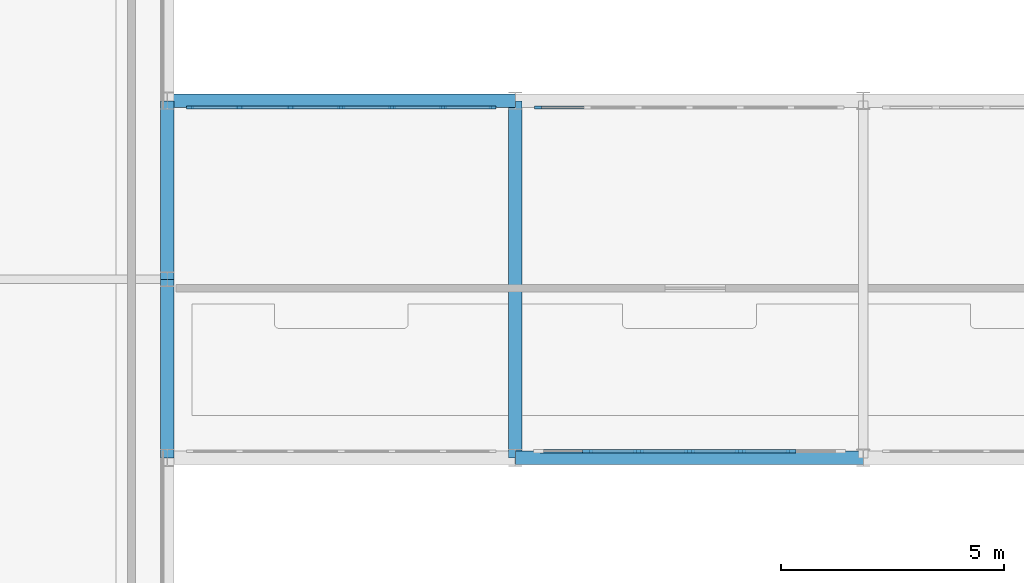
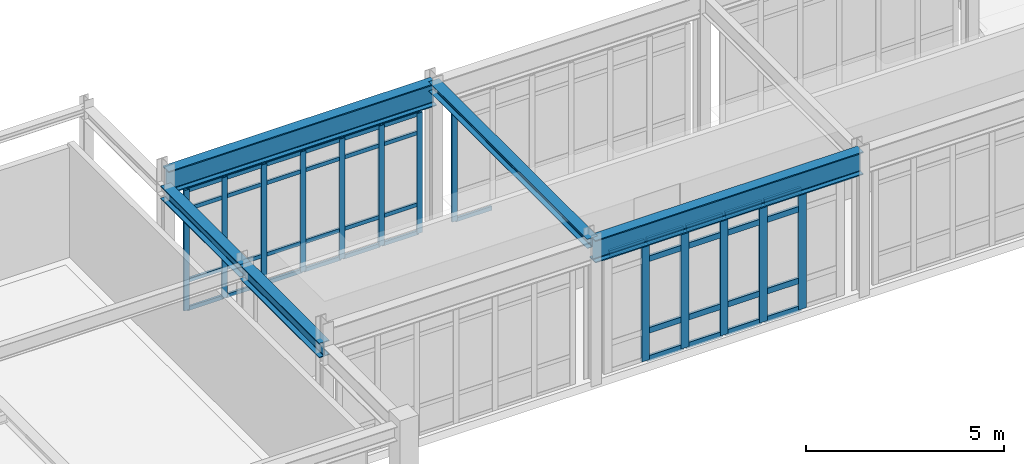
# One storey, part 28 of 90: 55 members, 5 beams, 3 elements without a shape of their own.
"""IFC4 building model written with IfcOpenShell, lengths in metres."""

from ifc_helpers import new_model, si_unit, derived_unit, direction, frame, origin, origin_2d, place, context, subcontext, project, spatial, rectangle, i_section, extrude, material, layer, layer_set, material_profile, profile_set, type_object, element, aggregate, save


model = new_model("IFC4")

# Units and contexts
model_context = context("Model", 3, precision=1e-05, world=origin(), true_north=direction((0.0, 1.0)))
body_context = subcontext(model_context, "Body", "Model", "MODEL_VIEW")
ifc_project = project(units=[si_unit("LENGTHUNIT", "METRE"), si_unit("AREAUNIT", "SQUARE_METRE"), si_unit("VOLUMEUNIT", "CUBIC_METRE"), si_unit("PLANEANGLEUNIT", "RADIAN"), si_unit("MASSUNIT", "GRAM", prefix="KILO"), derived_unit("THERMALTRANSMITTANCEUNIT", [(si_unit("POWERUNIT", "WATT"), 1), (si_unit("AREAUNIT", "SQUARE_METRE"), -1), (si_unit("THERMODYNAMICTEMPERATUREUNIT", "KELVIN"), -1)])], contexts=[model_context])

# Site, building, storey
site_placement = place(None, origin())
site = spatial("IfcSite", under=ifc_project, at=site_placement, CompositionType="ELEMENT")
building_placement = place(site_placement, origin())
building = spatial("IfcBuilding", under=site, at=building_placement, Name="Yasenodar Specialist Clinic", CompositionType="ELEMENT")
storey_placement = place(building_placement, frame((0.0, 0.0, 9.0)))
storey = spatial("IfcBuildingStorey", under=building, at=storey_placement, Name="L02", CompositionType="ELEMENT", Elevation=9.0)

# Beams
ifc_material_1 = material(Name="Steel S355", Category="steel")
ifc_material_profile_1 = material_profile(ifc_material_1, i_section(OverallWidth=0.300048828125, OverallDepth=0.2900390625, WebThickness=0.008544921875, FlangeThickness=0.013916015625, FilletRadius=0.027099609375, at=origin_2d()), Name="HEA 300")
ifc_profile_set_1 = profile_set([ifc_material_profile_1], Name="Steel S355")
beam_type_1 = type_object("IfcBeamType", Name="BM-HEA300", PredefinedType="BEAM", material=ifc_profile_set_1)
beam_1_placement = place(storey_placement, frame((41.39990234375, 54.800048828125, 4.280029296875), z_axis=(0.0, 1.0, 0.0), x_axis=(-1.0, 0.0, 0.0)))
element("IfcBeam", 1, at=beam_1_placement, inside=storey, type_object=beam_type_1, Name="L02 Primary N-S Girder", PredefinedType="BEAM", context=body_context, shape_type="SweptSolid", body=[
    extrude(i_section(OverallWidth=0.300048828125, OverallDepth=0.2900390625, WebThickness=0.008544921875, FlangeThickness=0.013916015625, FilletRadius=0.027099609375, at=origin_2d()), origin(), (0.0, 0.0, 1.0), 8.0),
])
ifc_material_profile_2 = material_profile(ifc_material_1, i_section(OverallWidth=0.300048828125, OverallDepth=0.39990234375, WebThickness=0.013427734375, FlangeThickness=0.02392578125, FilletRadius=0.027099609375, at=origin_2d()), Name="HEB 400")
ifc_profile_set_2 = profile_set([ifc_material_profile_2], Name="Steel S355")
beam_type_2 = type_object("IfcBeamType", Name="BM-HEB400", PredefinedType="BEAM", material=ifc_profile_set_2)
beam_2_placement = place(storey_placement, frame((33.60009765625, 58.800048828125, 3.75), z_axis=(0.0, 1.0, 0.0), x_axis=(-1.0, 0.0, 0.0)))
element("IfcBeam", 2, at=beam_2_placement, inside=storey, type_object=beam_type_2, Name="L02 Primary N-S Girder", PredefinedType="BEAM", context=body_context, shape_type="SweptSolid", body=[
    extrude(i_section(OverallWidth=0.300048828125, OverallDepth=0.39990234375, WebThickness=0.013427734375, FlangeThickness=0.02392578125, FilletRadius=0.027099609375, at=origin_2d()), origin(), (0.0, 0.0, 1.0), 4.0),
])
ifc_material_profile_3 = material_profile(ifc_material_1, i_section(OverallWidth=0.300048828125, OverallDepth=0.449951171875, WebThickness=0.013916015625, FlangeThickness=0.02587890625, FilletRadius=0.027099609375, at=origin_2d()), Name="HEB 450")
ifc_profile_set_3 = profile_set([ifc_material_profile_3], Name="Steel S355")
beam_type_3 = type_object("IfcBeamType", Name="BM-HEB450", PredefinedType="BEAM", material=ifc_profile_set_3)
beam_3_placement = place(storey_placement, frame((33.60009765625, 54.800048828125, 3.72509765625), z_axis=(0.0, 1.0, 0.0), x_axis=(-1.0, 0.0, 0.0)))
element("IfcBeam", 3, at=beam_3_placement, inside=storey, type_object=beam_type_3, Name="L02 Primary N-S Girder", PredefinedType="BEAM", context=body_context, shape_type="SweptSolid", body=[
    extrude(i_section(OverallWidth=0.300048828125, OverallDepth=0.449951171875, WebThickness=0.013916015625, FlangeThickness=0.02587890625, FilletRadius=0.027099609375, at=origin_2d()), origin(), (0.0, 0.0, 1.0), 4.0),
])
ifc_material_profile_4 = material_profile(ifc_material_1, i_section(OverallWidth=0.300048828125, OverallDepth=0.699951171875, WebThickness=0.01708984375, FlangeThickness=0.031982421875, FilletRadius=0.027099609375, at=origin_2d()), Name="HEB 700")
ifc_profile_set_4 = profile_set([ifc_material_profile_4], Name="Steel S355")
beam_type_4 = type_object("IfcBeamType", Name="BM-HEB700", PredefinedType="BEAM", material=ifc_profile_set_4)
beam_4_placement = place(storey_placement, frame((41.39990234375, 54.800048828125, 4.074951171875), z_axis=(1.0, 0.0, 0.0), x_axis=(0.0, 1.0, 0.0)))
element("IfcBeam", 4, at=beam_4_placement, inside=storey, type_object=beam_type_4, Name="L02 Light Bridge Girder", PredefinedType="BEAM", context=body_context, shape_type="SweptSolid", body=[
    extrude(i_section(OverallWidth=0.300048828125, OverallDepth=0.699951171875, WebThickness=0.01708984375, FlangeThickness=0.031982421875, FilletRadius=0.027099609375, at=origin_2d()), origin(), (0.0, 0.0, 1.0), 7.800048828125),
])
beam_5_placement = place(storey_placement, frame((33.60009765625, 62.800048828125, 4.074951171875), z_axis=(1.0, 0.0, 0.0), x_axis=(0.0, 1.0, 0.0)))
element("IfcBeam", 5, at=beam_5_placement, inside=storey, type_object=beam_type_4, Name="L02 Light Bridge Girder", PredefinedType="BEAM", context=body_context, shape_type="SweptSolid", body=[
    extrude(i_section(OverallWidth=0.300048828125, OverallDepth=0.699951171875, WebThickness=0.01708984375, FlangeThickness=0.031982421875, FilletRadius=0.027099609375, at=origin_2d()), origin(), (0.0, 0.0, 1.0), 7.7998046875),
])

# Curtain wall, members
ifc_material_2 = material(Name="Bronze Anodized Aluminium and Triple Low-E Glass", Category="aluminium")
ifc_layer = layer(ifc_material_2, 0.19091796875)
ifc_layer_set = layer_set([ifc_layer], Name="Bronze Anodized Aluminium and Triple Low-E Glass")
curtain_wall_type = type_object("IfcCurtainWallType", Name="CW-SYS-03", PredefinedType="USERDEFINED", material=ifc_layer_set)
curtain_wall_1_placement = place(storey_placement, origin())
curtain_wall_1 = element("IfcCurtainWall", 6, at=curtain_wall_1_placement, inside=storey, type_object=curtain_wall_type, Name="L02 Unitised Curtain Wall 107", ObjectType="UNITISED CURTAIN WALL", PredefinedType="USERDEFINED")
ifc_material_3 = material(Name="Bronze Anodized Aluminium", Category="aluminium")
ifc_material_profile_5 = material_profile(ifc_material_3, rectangle(XDim=0.06005859375, YDim=0.159912109375, at=origin_2d()), Name="CW-MULL 60x160")
ifc_profile_set_5 = profile_set([ifc_material_profile_5], Name="Bronze Anodized Aluminium")
member_type_1 = type_object("IfcMemberType", Name="CW-MULL-160", PredefinedType="MULLION", material=ifc_profile_set_5)
member_1_placement = place(storey_placement, frame((34.110107421875, 62.64990234375, 0.0), z_axis=(0.0, 0.0, 1.0), x_axis=(0.0, 1.0, 0.0)))
member_1 = element("IfcMember", 7, at=member_1_placement, type_object=member_type_1, Name="CW-03 mullion 1", PredefinedType="MULLION", context=body_context, shape_type="SweptSolid", body=[
    extrude(rectangle(XDim=0.06005859375, YDim=0.159912109375, at=origin_2d()), origin(), (0.0, 0.0, 1.0), 3.702880859375),
])
member_2_placement = place(storey_placement, frame((35.219970703125, 62.64990234375, 0.0), z_axis=(0.0, 0.0, 1.0), x_axis=(0.0, 1.0, 0.0)))
member_2 = element("IfcMember", 8, at=member_2_placement, type_object=member_type_1, Name="CW-03 mullion 2", PredefinedType="MULLION", context=body_context, shape_type="SweptSolid", body=[
    extrude(rectangle(XDim=0.06005859375, YDim=0.159912109375, at=origin_2d()), origin(), (0.0, 0.0, 1.0), 3.702880859375),
])
member_3_placement = place(storey_placement, frame((36.360107421875, 62.64990234375, 0.0), z_axis=(0.0, 0.0, 1.0), x_axis=(0.0, 1.0, 0.0)))
member_3 = element("IfcMember", 9, at=member_3_placement, type_object=member_type_1, Name="CW-03 mullion 3", PredefinedType="MULLION", context=body_context, shape_type="SweptSolid", body=[
    extrude(rectangle(XDim=0.06005859375, YDim=0.159912109375, at=origin_2d()), origin(), (0.0, 0.0, 1.0), 3.702880859375),
])
member_4_placement = place(storey_placement, frame((37.5, 62.64990234375, 0.0), z_axis=(0.0, 0.0, 1.0), x_axis=(0.0, 1.0, 0.0)))
member_4 = element("IfcMember", 10, at=member_4_placement, type_object=member_type_1, Name="CW-03 mullion 4", PredefinedType="MULLION", context=body_context, shape_type="SweptSolid", body=[
    extrude(rectangle(XDim=0.06005859375, YDim=0.159912109375, at=origin_2d()), origin(), (0.0, 0.0, 1.0), 3.702880859375),
])
member_5_placement = place(storey_placement, frame((38.639892578125, 62.64990234375, 0.0), z_axis=(0.0, 0.0, 1.0), x_axis=(0.0, 1.0, 0.0)))
member_5 = element("IfcMember", 11, at=member_5_placement, type_object=member_type_1, Name="CW-03 mullion 5", PredefinedType="MULLION", context=body_context, shape_type="SweptSolid", body=[
    extrude(rectangle(XDim=0.06005859375, YDim=0.159912109375, at=origin_2d()), origin(), (0.0, 0.0, 1.0), 3.702880859375),
])
member_6_placement = place(storey_placement, frame((39.780029296875, 62.64990234375, 0.0), z_axis=(0.0, 0.0, 1.0), x_axis=(0.0, 1.0, 0.0)))
member_6 = element("IfcMember", 12, at=member_6_placement, type_object=member_type_1, Name="CW-03 mullion 6", PredefinedType="MULLION", context=body_context, shape_type="SweptSolid", body=[
    extrude(rectangle(XDim=0.06005859375, YDim=0.159912109375, at=origin_2d()), origin(), (0.0, 0.0, 1.0), 3.702880859375),
])
member_7_placement = place(storey_placement, frame((40.889892578125, 62.64990234375, 0.0), z_axis=(0.0, 0.0, 1.0), x_axis=(0.0, 1.0, 0.0)))
member_7 = element("IfcMember", 13, at=member_7_placement, type_object=member_type_1, Name="CW-03 mullion 7", PredefinedType="MULLION", context=body_context, shape_type="SweptSolid", body=[
    extrude(rectangle(XDim=0.06005859375, YDim=0.159912109375, at=origin_2d()), origin(), (0.0, 0.0, 1.0), 3.702880859375),
])

# Curtain wall, member
curtain_wall_2_placement = place(storey_placement, origin())
curtain_wall_2 = element("IfcCurtainWall", 14, at=curtain_wall_2_placement, inside=storey, type_object=curtain_wall_type, Name="L02 Unitised Curtain Wall 109", ObjectType="UNITISED CURTAIN WALL", PredefinedType="USERDEFINED")
member_8_placement = place(storey_placement, frame((41.909912109375, 62.64990234375, 0.0), z_axis=(0.0, 0.0, 1.0), x_axis=(0.0, 1.0, 0.0)))
member_8 = element("IfcMember", 15, at=member_8_placement, type_object=member_type_1, Name="CW-03 mullion 1", PredefinedType="MULLION", context=body_context, shape_type="SweptSolid", body=[
    extrude(rectangle(XDim=0.06005859375, YDim=0.159912109375, at=origin_2d()), origin(), (0.0, 0.0, 1.0), 3.702880859375),
])

# Curtain wall, members
curtain_wall_3_placement = place(storey_placement, origin())
curtain_wall_3 = element("IfcCurtainWall", 16, at=curtain_wall_3_placement, inside=storey, type_object=curtain_wall_type, Name="L02 Unitised Curtain Wall 110", ObjectType="UNITISED CURTAIN WALL", PredefinedType="USERDEFINED")
ifc_material_profile_6 = material_profile(ifc_material_3, rectangle(XDim=0.074951171875, YDim=0.22509765625, at=origin_2d()), Name="CW-MULL 75x225")
ifc_profile_set_6 = profile_set([ifc_material_profile_6], Name="Bronze Anodized Aluminium")
member_type_2 = type_object("IfcMemberType", Name="CW-MULL-225", PredefinedType="MULLION", material=ifc_profile_set_6)
member_9_placement = place(storey_placement, frame((47.580078125, 54.949951171875, 0.0), z_axis=(0.0, 0.0, 1.0), x_axis=(0.0, -1.0, 0.0)))
member_9 = element("IfcMember", 17, at=member_9_placement, type_object=member_type_2, Name="CW-03 mullion 2", PredefinedType="MULLION", context=body_context, shape_type="SweptSolid", body=[
    extrude(rectangle(XDim=0.074951171875, YDim=0.22509765625, at=origin_2d()), origin(), (0.0, 0.0, 1.0), 3.702880859375),
])
member_10_placement = place(storey_placement, frame((46.43994140625, 54.949951171875, 0.0), z_axis=(0.0, 0.0, 1.0), x_axis=(0.0, -1.0, 0.0)))
member_10 = element("IfcMember", 18, at=member_10_placement, type_object=member_type_2, Name="CW-03 mullion 3", PredefinedType="MULLION", context=body_context, shape_type="SweptSolid", body=[
    extrude(rectangle(XDim=0.074951171875, YDim=0.22509765625, at=origin_2d()), origin(), (0.0, 0.0, 1.0), 3.702880859375),
])
member_11_placement = place(storey_placement, frame((45.300048828125, 54.949951171875, 0.0), z_axis=(0.0, 0.0, 1.0), x_axis=(0.0, -1.0, 0.0)))
member_11 = element("IfcMember", 19, at=member_11_placement, type_object=member_type_2, Name="CW-03 mullion 4", PredefinedType="MULLION", context=body_context, shape_type="SweptSolid", body=[
    extrude(rectangle(XDim=0.074951171875, YDim=0.22509765625, at=origin_2d()), origin(), (0.0, 0.0, 1.0), 3.702880859375),
])
member_12_placement = place(storey_placement, frame((44.159912109375, 54.949951171875, 0.0), z_axis=(0.0, 0.0, 1.0), x_axis=(0.0, -1.0, 0.0)))
member_12 = element("IfcMember", 20, at=member_12_placement, type_object=member_type_2, Name="CW-03 mullion 5", PredefinedType="MULLION", context=body_context, shape_type="SweptSolid", body=[
    extrude(rectangle(XDim=0.074951171875, YDim=0.22509765625, at=origin_2d()), origin(), (0.0, 0.0, 1.0), 3.702880859375),
])
member_13_placement = place(storey_placement, frame((43.02001953125, 54.949951171875, 0.0), z_axis=(0.0, 0.0, 1.0), x_axis=(0.0, -1.0, 0.0)))
member_13 = element("IfcMember", 21, at=member_13_placement, type_object=member_type_2, Name="CW-03 mullion 6", PredefinedType="MULLION", context=body_context, shape_type="SweptSolid", body=[
    extrude(rectangle(XDim=0.074951171875, YDim=0.22509765625, at=origin_2d()), origin(), (0.0, 0.0, 1.0), 3.702880859375),
])

# Member
ifc_material_profile_7 = material_profile(ifc_material_3, rectangle(XDim=0.06005859375, YDim=0.1201171875, at=origin_2d()), Name="CW-TRAN 60x120")
ifc_profile_set_7 = profile_set([ifc_material_profile_7], Name="Bronze Anodized Aluminium")
member_type_3 = type_object("IfcMemberType", Name="CW-TRAN-120", PredefinedType="USERDEFINED", material=ifc_profile_set_7)
member_14_placement = place(storey_placement, frame((34.139892578125, 62.64990234375, 0.030029296875), z_axis=(1.0, 0.0, 0.0), x_axis=(0.0, 1.0, 0.0)))
member_14 = element("IfcMember", 22, at=member_14_placement, type_object=member_type_3, Name="CW-03 transom 1.1", ObjectType="TRANSOM", PredefinedType="USERDEFINED", context=body_context, shape_type="SweptSolid", body=[
    extrude(rectangle(XDim=0.06005859375, YDim=0.1201171875, at=origin_2d()), origin(), (0.0, 0.0, 1.0), 1.050048828125),
])

member_15_placement = place(storey_placement, frame((34.139892578125, 62.64990234375, 0.89990234375), z_axis=(1.0, 0.0, 0.0), x_axis=(0.0, 1.0, 0.0)))
member_15 = element("IfcMember", 23, at=member_15_placement, type_object=member_type_3, Name="CW-03 transom 1.2", ObjectType="TRANSOM", PredefinedType="USERDEFINED", context=body_context, shape_type="SweptSolid", body=[
    extrude(rectangle(XDim=0.06005859375, YDim=0.1201171875, at=origin_2d()), origin(), (0.0, 0.0, 1.0), 1.050048828125),
])

member_16_placement = place(storey_placement, frame((34.139892578125, 62.64990234375, 3.10302734375), z_axis=(1.0, 0.0, 0.0), x_axis=(0.0, 1.0, 0.0)))
member_16 = element("IfcMember", 24, at=member_16_placement, type_object=member_type_3, Name="CW-03 transom 1.3", ObjectType="TRANSOM", PredefinedType="USERDEFINED", context=body_context, shape_type="SweptSolid", body=[
    extrude(rectangle(XDim=0.06005859375, YDim=0.1201171875, at=origin_2d()), origin(), (0.0, 0.0, 1.0), 1.050048828125),
])

member_17_placement = place(storey_placement, frame((34.139892578125, 62.64990234375, 3.673095703125), z_axis=(1.0, 0.0, 0.0), x_axis=(0.0, 1.0, 0.0)))
member_17 = element("IfcMember", 25, at=member_17_placement, type_object=member_type_3, Name="CW-03 transom 1.4", ObjectType="TRANSOM", PredefinedType="USERDEFINED", context=body_context, shape_type="SweptSolid", body=[
    extrude(rectangle(XDim=0.06005859375, YDim=0.1201171875, at=origin_2d()), origin(), (0.0, 0.0, 1.0), 1.050048828125),
])

member_18_placement = place(storey_placement, frame((35.25, 62.64990234375, 0.030029296875), z_axis=(1.0, 0.0, 0.0), x_axis=(0.0, 1.0, 0.0)))
member_18 = element("IfcMember", 26, at=member_18_placement, type_object=member_type_3, Name="CW-03 transom 2.1", ObjectType="TRANSOM", PredefinedType="USERDEFINED", context=body_context, shape_type="SweptSolid", body=[
    extrude(rectangle(XDim=0.06005859375, YDim=0.1201171875, at=origin_2d()), origin(), (0.0, 0.0, 1.0), 1.080078125),
])

member_19_placement = place(storey_placement, frame((35.25, 62.64990234375, 0.89990234375), z_axis=(1.0, 0.0, 0.0), x_axis=(0.0, 1.0, 0.0)))
member_19 = element("IfcMember", 27, at=member_19_placement, type_object=member_type_3, Name="CW-03 transom 2.2", ObjectType="TRANSOM", PredefinedType="USERDEFINED", context=body_context, shape_type="SweptSolid", body=[
    extrude(rectangle(XDim=0.06005859375, YDim=0.1201171875, at=origin_2d()), origin(), (0.0, 0.0, 1.0), 1.080078125),
])

member_20_placement = place(storey_placement, frame((35.25, 62.64990234375, 3.10302734375), z_axis=(1.0, 0.0, 0.0), x_axis=(0.0, 1.0, 0.0)))
member_20 = element("IfcMember", 28, at=member_20_placement, type_object=member_type_3, Name="CW-03 transom 2.3", ObjectType="TRANSOM", PredefinedType="USERDEFINED", context=body_context, shape_type="SweptSolid", body=[
    extrude(rectangle(XDim=0.06005859375, YDim=0.1201171875, at=origin_2d()), origin(), (0.0, 0.0, 1.0), 1.080078125),
])

member_21_placement = place(storey_placement, frame((35.25, 62.64990234375, 3.673095703125), z_axis=(1.0, 0.0, 0.0), x_axis=(0.0, 1.0, 0.0)))
member_21 = element("IfcMember", 29, at=member_21_placement, type_object=member_type_3, Name="CW-03 transom 2.4", ObjectType="TRANSOM", PredefinedType="USERDEFINED", context=body_context, shape_type="SweptSolid", body=[
    extrude(rectangle(XDim=0.06005859375, YDim=0.1201171875, at=origin_2d()), origin(), (0.0, 0.0, 1.0), 1.080078125),
])

member_22_placement = place(storey_placement, frame((36.389892578125, 62.64990234375, 0.030029296875), z_axis=(1.0, 0.0, 0.0), x_axis=(0.0, 1.0, 0.0)))
member_22 = element("IfcMember", 30, at=member_22_placement, type_object=member_type_3, Name="CW-03 transom 3.1", ObjectType="TRANSOM", PredefinedType="USERDEFINED", context=body_context, shape_type="SweptSolid", body=[
    extrude(rectangle(XDim=0.06005859375, YDim=0.1201171875, at=origin_2d()), origin(), (0.0, 0.0, 1.0), 1.080078125),
])

member_23_placement = place(storey_placement, frame((36.389892578125, 62.64990234375, 0.89990234375), z_axis=(1.0, 0.0, 0.0), x_axis=(0.0, 1.0, 0.0)))
member_23 = element("IfcMember", 31, at=member_23_placement, type_object=member_type_3, Name="CW-03 transom 3.2", ObjectType="TRANSOM", PredefinedType="USERDEFINED", context=body_context, shape_type="SweptSolid", body=[
    extrude(rectangle(XDim=0.06005859375, YDim=0.1201171875, at=origin_2d()), origin(), (0.0, 0.0, 1.0), 1.080078125),
])

member_24_placement = place(storey_placement, frame((36.389892578125, 62.64990234375, 3.10302734375), z_axis=(1.0, 0.0, 0.0), x_axis=(0.0, 1.0, 0.0)))
member_24 = element("IfcMember", 32, at=member_24_placement, type_object=member_type_3, Name="CW-03 transom 3.3", ObjectType="TRANSOM", PredefinedType="USERDEFINED", context=body_context, shape_type="SweptSolid", body=[
    extrude(rectangle(XDim=0.06005859375, YDim=0.1201171875, at=origin_2d()), origin(), (0.0, 0.0, 1.0), 1.080078125),
])

member_25_placement = place(storey_placement, frame((36.389892578125, 62.64990234375, 3.673095703125), z_axis=(1.0, 0.0, 0.0), x_axis=(0.0, 1.0, 0.0)))
member_25 = element("IfcMember", 33, at=member_25_placement, type_object=member_type_3, Name="CW-03 transom 3.4", ObjectType="TRANSOM", PredefinedType="USERDEFINED", context=body_context, shape_type="SweptSolid", body=[
    extrude(rectangle(XDim=0.06005859375, YDim=0.1201171875, at=origin_2d()), origin(), (0.0, 0.0, 1.0), 1.080078125),
])

member_26_placement = place(storey_placement, frame((37.530029296875, 62.64990234375, 0.030029296875), z_axis=(1.0, 0.0, 0.0), x_axis=(0.0, 1.0, 0.0)))
member_26 = element("IfcMember", 34, at=member_26_placement, type_object=member_type_3, Name="CW-03 transom 4.1", ObjectType="TRANSOM", PredefinedType="USERDEFINED", context=body_context, shape_type="SweptSolid", body=[
    extrude(rectangle(XDim=0.06005859375, YDim=0.1201171875, at=origin_2d()), origin(), (0.0, 0.0, 1.0), 1.080078125),
])

member_27_placement = place(storey_placement, frame((37.530029296875, 62.64990234375, 0.89990234375), z_axis=(1.0, 0.0, 0.0), x_axis=(0.0, 1.0, 0.0)))
member_27 = element("IfcMember", 35, at=member_27_placement, type_object=member_type_3, Name="CW-03 transom 4.2", ObjectType="TRANSOM", PredefinedType="USERDEFINED", context=body_context, shape_type="SweptSolid", body=[
    extrude(rectangle(XDim=0.06005859375, YDim=0.1201171875, at=origin_2d()), origin(), (0.0, 0.0, 1.0), 1.080078125),
])

member_28_placement = place(storey_placement, frame((37.530029296875, 62.64990234375, 3.10302734375), z_axis=(1.0, 0.0, 0.0), x_axis=(0.0, 1.0, 0.0)))
member_28 = element("IfcMember", 36, at=member_28_placement, type_object=member_type_3, Name="CW-03 transom 4.3", ObjectType="TRANSOM", PredefinedType="USERDEFINED", context=body_context, shape_type="SweptSolid", body=[
    extrude(rectangle(XDim=0.06005859375, YDim=0.1201171875, at=origin_2d()), origin(), (0.0, 0.0, 1.0), 1.080078125),
])

member_29_placement = place(storey_placement, frame((37.530029296875, 62.64990234375, 3.673095703125), z_axis=(1.0, 0.0, 0.0), x_axis=(0.0, 1.0, 0.0)))
member_29 = element("IfcMember", 37, at=member_29_placement, type_object=member_type_3, Name="CW-03 transom 4.4", ObjectType="TRANSOM", PredefinedType="USERDEFINED", context=body_context, shape_type="SweptSolid", body=[
    extrude(rectangle(XDim=0.06005859375, YDim=0.1201171875, at=origin_2d()), origin(), (0.0, 0.0, 1.0), 1.080078125),
])

member_30_placement = place(storey_placement, frame((38.669921875, 62.64990234375, 0.030029296875), z_axis=(1.0, 0.0, 0.0), x_axis=(0.0, 1.0, 0.0)))
member_30 = element("IfcMember", 38, at=member_30_placement, type_object=member_type_3, Name="CW-03 transom 5.1", ObjectType="TRANSOM", PredefinedType="USERDEFINED", context=body_context, shape_type="SweptSolid", body=[
    extrude(rectangle(XDim=0.06005859375, YDim=0.1201171875, at=origin_2d()), origin(), (0.0, 0.0, 1.0), 1.080078125),
])

member_31_placement = place(storey_placement, frame((38.669921875, 62.64990234375, 0.89990234375), z_axis=(1.0, 0.0, 0.0), x_axis=(0.0, 1.0, 0.0)))
member_31 = element("IfcMember", 39, at=member_31_placement, type_object=member_type_3, Name="CW-03 transom 5.2", ObjectType="TRANSOM", PredefinedType="USERDEFINED", context=body_context, shape_type="SweptSolid", body=[
    extrude(rectangle(XDim=0.06005859375, YDim=0.1201171875, at=origin_2d()), origin(), (0.0, 0.0, 1.0), 1.080078125),
])

member_32_placement = place(storey_placement, frame((38.669921875, 62.64990234375, 3.10302734375), z_axis=(1.0, 0.0, 0.0), x_axis=(0.0, 1.0, 0.0)))
member_32 = element("IfcMember", 40, at=member_32_placement, type_object=member_type_3, Name="CW-03 transom 5.3", ObjectType="TRANSOM", PredefinedType="USERDEFINED", context=body_context, shape_type="SweptSolid", body=[
    extrude(rectangle(XDim=0.06005859375, YDim=0.1201171875, at=origin_2d()), origin(), (0.0, 0.0, 1.0), 1.080078125),
])

member_33_placement = place(storey_placement, frame((38.669921875, 62.64990234375, 3.673095703125), z_axis=(1.0, 0.0, 0.0), x_axis=(0.0, 1.0, 0.0)))
member_33 = element("IfcMember", 41, at=member_33_placement, type_object=member_type_3, Name="CW-03 transom 5.4", ObjectType="TRANSOM", PredefinedType="USERDEFINED", context=body_context, shape_type="SweptSolid", body=[
    extrude(rectangle(XDim=0.06005859375, YDim=0.1201171875, at=origin_2d()), origin(), (0.0, 0.0, 1.0), 1.080078125),
])

member_34_placement = place(storey_placement, frame((39.81005859375, 62.64990234375, 0.030029296875), z_axis=(1.0, 0.0, 0.0), x_axis=(0.0, 1.0, 0.0)))
member_34 = element("IfcMember", 42, at=member_34_placement, type_object=member_type_3, Name="CW-03 transom 6.1", ObjectType="TRANSOM", PredefinedType="USERDEFINED", context=body_context, shape_type="SweptSolid", body=[
    extrude(rectangle(XDim=0.06005859375, YDim=0.1201171875, at=origin_2d()), origin(), (0.0, 0.0, 1.0), 1.050048828125),
])

member_35_placement = place(storey_placement, frame((39.81005859375, 62.64990234375, 0.89990234375), z_axis=(1.0, 0.0, 0.0), x_axis=(0.0, 1.0, 0.0)))
member_35 = element("IfcMember", 43, at=member_35_placement, type_object=member_type_3, Name="CW-03 transom 6.2", ObjectType="TRANSOM", PredefinedType="USERDEFINED", context=body_context, shape_type="SweptSolid", body=[
    extrude(rectangle(XDim=0.06005859375, YDim=0.1201171875, at=origin_2d()), origin(), (0.0, 0.0, 1.0), 1.050048828125),
])

member_36_placement = place(storey_placement, frame((39.81005859375, 62.64990234375, 3.10302734375), z_axis=(1.0, 0.0, 0.0), x_axis=(0.0, 1.0, 0.0)))
member_36 = element("IfcMember", 44, at=member_36_placement, type_object=member_type_3, Name="CW-03 transom 6.3", ObjectType="TRANSOM", PredefinedType="USERDEFINED", context=body_context, shape_type="SweptSolid", body=[
    extrude(rectangle(XDim=0.06005859375, YDim=0.1201171875, at=origin_2d()), origin(), (0.0, 0.0, 1.0), 1.050048828125),
])

member_37_placement = place(storey_placement, frame((39.81005859375, 62.64990234375, 3.673095703125), z_axis=(1.0, 0.0, 0.0), x_axis=(0.0, 1.0, 0.0)))
member_37 = element("IfcMember", 45, at=member_37_placement, type_object=member_type_3, Name="CW-03 transom 6.4", ObjectType="TRANSOM", PredefinedType="USERDEFINED", context=body_context, shape_type="SweptSolid", body=[
    extrude(rectangle(XDim=0.06005859375, YDim=0.1201171875, at=origin_2d()), origin(), (0.0, 0.0, 1.0), 1.050048828125),
])

aggregate(curtain_wall_1, [member_1, member_2, member_3, member_4, member_5, member_6, member_7, member_14, member_15, member_16, member_17, member_18, member_19, member_20, member_21, member_22, member_23, member_24, member_25, member_26, member_27, member_28, member_29, member_30, member_31, member_32, member_33, member_34, member_35, member_36, member_37])

member_38_placement = place(storey_placement, frame((41.93994140625, 62.64990234375, 0.030029296875), z_axis=(1.0, 0.0, 0.0), x_axis=(0.0, 1.0, 0.0)))
member_38 = element("IfcMember", 46, at=member_38_placement, type_object=member_type_3, Name="CW-03 transom 1.1", ObjectType="TRANSOM", PredefinedType="USERDEFINED", context=body_context, shape_type="SweptSolid", body=[
    extrude(rectangle(XDim=0.06005859375, YDim=0.1201171875, at=origin_2d()), origin(), (0.0, 0.0, 1.0), 1.050048828125),
])

aggregate(curtain_wall_2, [member_8, member_38])

ifc_material_profile_8 = material_profile(ifc_material_3, rectangle(XDim=0.074951171875, YDim=0.175048828125, at=origin_2d()), Name="CW-TRAN 75x175")
ifc_profile_set_8 = profile_set([ifc_material_profile_8], Name="Bronze Anodized Aluminium")
member_type_4 = type_object("IfcMemberType", Name="CW-TRAN-175", PredefinedType="USERDEFINED", material=ifc_profile_set_8)
member_39_placement = place(storey_placement, frame((47.54248046875, 54.949951171875, 0.03759765625), z_axis=(-1.0, 0.0, 0.0), x_axis=(0.0, -1.0, 0.0)))
member_39 = element("IfcMember", 47, at=member_39_placement, type_object=member_type_4, Name="CW-03 transom 2.1", ObjectType="TRANSOM", PredefinedType="USERDEFINED", context=body_context, shape_type="SweptSolid", body=[
    extrude(rectangle(XDim=0.074951171875, YDim=0.175048828125, at=origin_2d()), origin(), (0.0, 0.0, 1.0), 1.06494140625),
])

member_40_placement = place(storey_placement, frame((47.54248046875, 54.949951171875, 0.89990234375), z_axis=(-1.0, 0.0, 0.0), x_axis=(0.0, -1.0, 0.0)))
member_40 = element("IfcMember", 48, at=member_40_placement, type_object=member_type_4, Name="CW-03 transom 2.2", ObjectType="TRANSOM", PredefinedType="USERDEFINED", context=body_context, shape_type="SweptSolid", body=[
    extrude(rectangle(XDim=0.074951171875, YDim=0.175048828125, at=origin_2d()), origin(), (0.0, 0.0, 1.0), 1.06494140625),
])

member_41_placement = place(storey_placement, frame((47.54248046875, 54.949951171875, 3.10302734375), z_axis=(-1.0, 0.0, 0.0), x_axis=(0.0, -1.0, 0.0)))
member_41 = element("IfcMember", 49, at=member_41_placement, type_object=member_type_4, Name="CW-03 transom 2.3", ObjectType="TRANSOM", PredefinedType="USERDEFINED", context=body_context, shape_type="SweptSolid", body=[
    extrude(rectangle(XDim=0.074951171875, YDim=0.175048828125, at=origin_2d()), origin(), (0.0, 0.0, 1.0), 1.06494140625),
])

member_42_placement = place(storey_placement, frame((47.54248046875, 54.949951171875, 3.66552734375), z_axis=(-1.0, 0.0, 0.0), x_axis=(0.0, -1.0, 0.0)))
member_42 = element("IfcMember", 50, at=member_42_placement, type_object=member_type_4, Name="CW-03 transom 2.4", ObjectType="TRANSOM", PredefinedType="USERDEFINED", context=body_context, shape_type="SweptSolid", body=[
    extrude(rectangle(XDim=0.074951171875, YDim=0.175048828125, at=origin_2d()), origin(), (0.0, 0.0, 1.0), 1.06494140625),
])

member_43_placement = place(storey_placement, frame((46.402587890625, 54.949951171875, 0.03759765625), z_axis=(-1.0, 0.0, 0.0), x_axis=(0.0, -1.0, 0.0)))
member_43 = element("IfcMember", 51, at=member_43_placement, type_object=member_type_4, Name="CW-03 transom 3.1", ObjectType="TRANSOM", PredefinedType="USERDEFINED", context=body_context, shape_type="SweptSolid", body=[
    extrude(rectangle(XDim=0.074951171875, YDim=0.175048828125, at=origin_2d()), origin(), (0.0, 0.0, 1.0), 1.065185546875),
])

member_44_placement = place(storey_placement, frame((46.402587890625, 54.949951171875, 0.89990234375), z_axis=(-1.0, 0.0, 0.0), x_axis=(0.0, -1.0, 0.0)))
member_44 = element("IfcMember", 52, at=member_44_placement, type_object=member_type_4, Name="CW-03 transom 3.2", ObjectType="TRANSOM", PredefinedType="USERDEFINED", context=body_context, shape_type="SweptSolid", body=[
    extrude(rectangle(XDim=0.074951171875, YDim=0.175048828125, at=origin_2d()), origin(), (0.0, 0.0, 1.0), 1.065185546875),
])

member_45_placement = place(storey_placement, frame((46.402587890625, 54.949951171875, 3.10302734375), z_axis=(-1.0, 0.0, 0.0), x_axis=(0.0, -1.0, 0.0)))
member_45 = element("IfcMember", 53, at=member_45_placement, type_object=member_type_4, Name="CW-03 transom 3.3", ObjectType="TRANSOM", PredefinedType="USERDEFINED", context=body_context, shape_type="SweptSolid", body=[
    extrude(rectangle(XDim=0.074951171875, YDim=0.175048828125, at=origin_2d()), origin(), (0.0, 0.0, 1.0), 1.065185546875),
])

member_46_placement = place(storey_placement, frame((46.402587890625, 54.949951171875, 3.66552734375), z_axis=(-1.0, 0.0, 0.0), x_axis=(0.0, -1.0, 0.0)))
member_46 = element("IfcMember", 54, at=member_46_placement, type_object=member_type_4, Name="CW-03 transom 3.4", ObjectType="TRANSOM", PredefinedType="USERDEFINED", context=body_context, shape_type="SweptSolid", body=[
    extrude(rectangle(XDim=0.074951171875, YDim=0.175048828125, at=origin_2d()), origin(), (0.0, 0.0, 1.0), 1.065185546875),
])

member_47_placement = place(storey_placement, frame((45.262451171875, 54.949951171875, 0.03759765625), z_axis=(-1.0, 0.0, 0.0), x_axis=(0.0, -1.0, 0.0)))
member_47 = element("IfcMember", 55, at=member_47_placement, type_object=member_type_4, Name="CW-03 transom 4.1", ObjectType="TRANSOM", PredefinedType="USERDEFINED", context=body_context, shape_type="SweptSolid", body=[
    extrude(rectangle(XDim=0.074951171875, YDim=0.175048828125, at=origin_2d()), origin(), (0.0, 0.0, 1.0), 1.06494140625),
])

member_48_placement = place(storey_placement, frame((45.262451171875, 54.949951171875, 0.89990234375), z_axis=(-1.0, 0.0, 0.0), x_axis=(0.0, -1.0, 0.0)))
member_48 = element("IfcMember", 56, at=member_48_placement, type_object=member_type_4, Name="CW-03 transom 4.2", ObjectType="TRANSOM", PredefinedType="USERDEFINED", context=body_context, shape_type="SweptSolid", body=[
    extrude(rectangle(XDim=0.074951171875, YDim=0.175048828125, at=origin_2d()), origin(), (0.0, 0.0, 1.0), 1.06494140625),
])

member_49_placement = place(storey_placement, frame((45.262451171875, 54.949951171875, 3.10302734375), z_axis=(-1.0, 0.0, 0.0), x_axis=(0.0, -1.0, 0.0)))
member_49 = element("IfcMember", 57, at=member_49_placement, type_object=member_type_4, Name="CW-03 transom 4.3", ObjectType="TRANSOM", PredefinedType="USERDEFINED", context=body_context, shape_type="SweptSolid", body=[
    extrude(rectangle(XDim=0.074951171875, YDim=0.175048828125, at=origin_2d()), origin(), (0.0, 0.0, 1.0), 1.06494140625),
])

member_50_placement = place(storey_placement, frame((45.262451171875, 54.949951171875, 3.66552734375), z_axis=(-1.0, 0.0, 0.0), x_axis=(0.0, -1.0, 0.0)))
member_50 = element("IfcMember", 58, at=member_50_placement, type_object=member_type_4, Name="CW-03 transom 4.4", ObjectType="TRANSOM", PredefinedType="USERDEFINED", context=body_context, shape_type="SweptSolid", body=[
    extrude(rectangle(XDim=0.074951171875, YDim=0.175048828125, at=origin_2d()), origin(), (0.0, 0.0, 1.0), 1.06494140625),
])

member_51_placement = place(storey_placement, frame((44.12255859375, 54.949951171875, 0.03759765625), z_axis=(-1.0, 0.0, 0.0), x_axis=(0.0, -1.0, 0.0)))
member_51 = element("IfcMember", 59, at=member_51_placement, type_object=member_type_4, Name="CW-03 transom 5.1", ObjectType="TRANSOM", PredefinedType="USERDEFINED", context=body_context, shape_type="SweptSolid", body=[
    extrude(rectangle(XDim=0.074951171875, YDim=0.175048828125, at=origin_2d()), origin(), (0.0, 0.0, 1.0), 1.06494140625),
])

member_52_placement = place(storey_placement, frame((44.12255859375, 54.949951171875, 0.89990234375), z_axis=(-1.0, 0.0, 0.0), x_axis=(0.0, -1.0, 0.0)))
member_52 = element("IfcMember", 60, at=member_52_placement, type_object=member_type_4, Name="CW-03 transom 5.2", ObjectType="TRANSOM", PredefinedType="USERDEFINED", context=body_context, shape_type="SweptSolid", body=[
    extrude(rectangle(XDim=0.074951171875, YDim=0.175048828125, at=origin_2d()), origin(), (0.0, 0.0, 1.0), 1.06494140625),
])

member_53_placement = place(storey_placement, frame((44.12255859375, 54.949951171875, 3.10302734375), z_axis=(-1.0, 0.0, 0.0), x_axis=(0.0, -1.0, 0.0)))
member_53 = element("IfcMember", 61, at=member_53_placement, type_object=member_type_4, Name="CW-03 transom 5.3", ObjectType="TRANSOM", PredefinedType="USERDEFINED", context=body_context, shape_type="SweptSolid", body=[
    extrude(rectangle(XDim=0.074951171875, YDim=0.175048828125, at=origin_2d()), origin(), (0.0, 0.0, 1.0), 1.06494140625),
])

member_54_placement = place(storey_placement, frame((44.12255859375, 54.949951171875, 3.66552734375), z_axis=(-1.0, 0.0, 0.0), x_axis=(0.0, -1.0, 0.0)))
member_54 = element("IfcMember", 62, at=member_54_placement, type_object=member_type_4, Name="CW-03 transom 5.4", ObjectType="TRANSOM", PredefinedType="USERDEFINED", context=body_context, shape_type="SweptSolid", body=[
    extrude(rectangle(XDim=0.074951171875, YDim=0.175048828125, at=origin_2d()), origin(), (0.0, 0.0, 1.0), 1.06494140625),
])

member_55_placement = place(storey_placement, frame((42.982421875, 54.949951171875, 3.66552734375), z_axis=(-1.0, 0.0, 0.0), x_axis=(0.0, -1.0, 0.0)))
member_55 = element("IfcMember", 63, at=member_55_placement, type_object=member_type_4, Name="CW-03 transom 6.4", ObjectType="TRANSOM", PredefinedType="USERDEFINED", context=body_context, shape_type="SweptSolid", body=[
    extrude(rectangle(XDim=0.074951171875, YDim=0.175048828125, at=origin_2d()), origin(), (0.0, 0.0, 1.0), 1.02734375),
])

aggregate(curtain_wall_3, [member_9, member_10, member_11, member_12, member_13, member_39, member_40, member_41, member_42, member_43, member_44, member_45, member_46, member_47, member_48, member_49, member_50, member_51, member_52, member_53, member_54, member_55])

save(model, "model.ifc")
